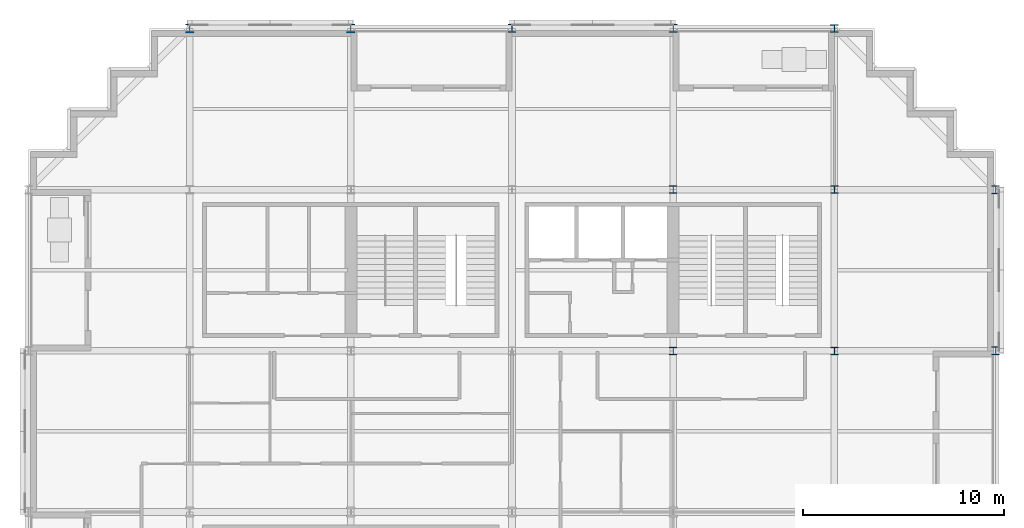
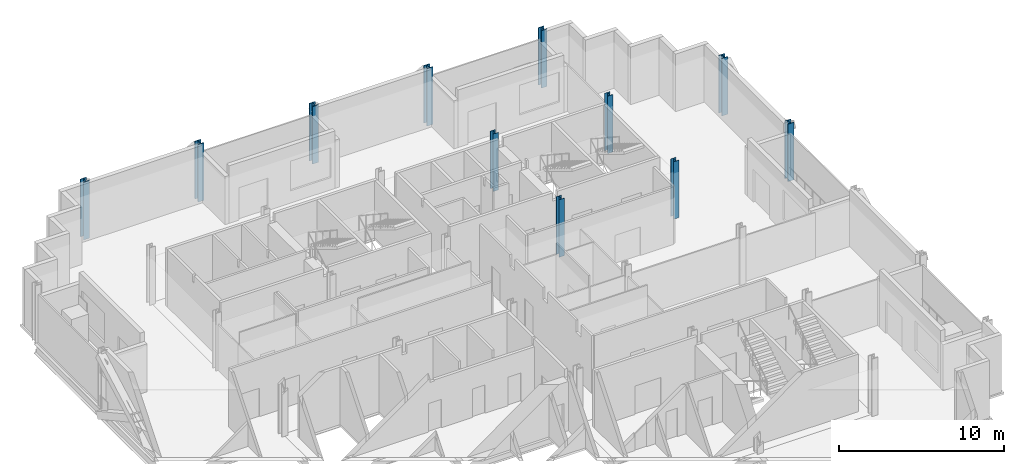
# One storey, part 2 of 13: 11 columns.
"""IFC4 building model written with IfcOpenShell, lengths in metres."""

import ifcopenshell
import ifcopenshell.guid

model = None  # the IFC model being written
_history = None  # IfcOwnerHistory: only IFC2X3 demands one
_inside = {}  # id of a spatial element -> (the spatial element, [elements in it])
_under = {}  # id of a project, library or spatial element -> (it, [spatial elements below it])
_declared = {}  # id of a project -> (the project, [libraries it declares])
_typed = {}  # id of a type object -> (the type object, [elements of that type])
_made_of = {}  # id of a material, layer set ... -> (it, [elements and type objects made of it])


def new_model(schema):
    """Start an empty IFC model of exactly this schema.

    Asked for "IFC4X3", IfcOpenShell would pick the latest addendum, in which some entities
    have other attributes; the version numbers below select the first issue.
    IFC2X3 requires an IfcOwnerHistory on every rooted entity: one is made here for all.
    """
    global model, _history
    if schema == "IFC4X3":
        model = ifcopenshell.file(schema_version=(4, 3, 0, 0))
    else:
        model = ifcopenshell.file(schema=schema)
    _inside.clear()
    _under.clear()
    _declared.clear()
    _typed.clear()
    _made_of.clear()
    _history = None
    if model.schema == "IFC2X3":
        org = make("IfcOrganization", Name="unknown")
        user = make(
            "IfcPersonAndOrganization",
            ThePerson=make("IfcPerson", FamilyName="unknown"),
            TheOrganization=org,
        )
        app = make(
            "IfcApplication",
            ApplicationDeveloper=org,
            Version="unknown",
            ApplicationFullName="unknown",
            ApplicationIdentifier="unknown",
        )
        _history = make(
            "IfcOwnerHistory",
            OwningUser=user,
            OwningApplication=app,
            ChangeAction="ADDED",
            CreationDate=0,
        )
    return model


def make(cls, **values):
    """One entity of the class cls with the attributes given. An attribute that is None is left unset."""
    return model.create_entity(
        cls, **{name: value for name, value in values.items() if value is not None}
    )


def rooted(cls, **values):
    """An entity with a GlobalId (a new one), such as an element, a storey or a relation."""
    return make(cls, GlobalId=ifcopenshell.guid.new(), OwnerHistory=_history, **values)


def si_unit(unit_type, name, prefix=None):
    """IfcSIUnit, for example si_unit("LENGTHUNIT", "METRE", prefix="MILLI")."""
    return make("IfcSIUnit", UnitType=unit_type, Prefix=prefix, Name=name)


def assignment(units):
    """IfcUnitAssignment: the units of a project."""
    return None if units is None else make("IfcUnitAssignment", Units=units)


def point(xyz):
    """IfcCartesianPoint."""
    return None if xyz is None else make("IfcCartesianPoint", Coordinates=xyz)


def direction(xyz):
    """IfcDirection."""
    return None if xyz is None else make("IfcDirection", DirectionRatios=xyz)


def frame(location, z_axis=None, x_axis=None):
    """IfcAxis2Placement3D, a coordinate frame: its origin and axes. An axis left out is left unset."""
    return make(
        "IfcAxis2Placement3D",
        Location=point(location),
        Axis=direction(z_axis),
        RefDirection=direction(x_axis),
    )


def frame_2d(location, x_axis=None):
    """IfcAxis2Placement2D, a coordinate frame in the plane: its origin and x axis."""
    return make(
        "IfcAxis2Placement2D", Location=point(location), RefDirection=direction(x_axis)
    )


def origin():
    """The frame at (0, 0, 0) with its axes left unset."""
    return frame((0.0, 0.0, 0.0))


def origin_2d():
    """The frame at (0, 0) in the plane with its x axis left unset."""
    return frame_2d((0.0, 0.0))


def place(relative_to, where):
    """IfcLocalPlacement: puts the frame where relative to a parent placement (None: the world)."""
    return make(
        "IfcLocalPlacement", PlacementRelTo=relative_to, RelativePlacement=where
    )


def context(
    kind, dimensions, precision=None, world=None, true_north=None, identifier=None
):
    """IfcGeometricRepresentationContext, for example the 3D "Model" context."""
    return make(
        "IfcGeometricRepresentationContext",
        ContextIdentifier=identifier,
        ContextType=kind,
        CoordinateSpaceDimension=dimensions,
        Precision=precision,
        WorldCoordinateSystem=world,
        TrueNorth=true_north,
    )


def subcontext(parent, identifier, kind, view, scale=None):
    """IfcGeometricRepresentationSubContext, for example "Body" below "Model"."""
    return make(
        "IfcGeometricRepresentationSubContext",
        ContextIdentifier=identifier,
        ContextType=kind,
        ParentContext=parent,
        TargetScale=scale,
        TargetView=view,
    )


def project(units=None, contexts=None):
    """IfcProject with its units and contexts."""
    return rooted(
        "IfcProject",
        Name="project",
        RepresentationContexts=contexts,
        UnitsInContext=assignment(units),
    )


def spatial(cls, under=None, at=None, **own):
    """A site, building, storey or space (cls), placed at a placement, below another one or the project."""
    s = rooted(cls, ObjectPlacement=at, **own)
    if under is not None:
        _under.setdefault(under.id(), (under, []))[1].append(s)
    return s


def profile(cls, at=None, kind="AREA", **sizes):
    """A parametric profile (cls). Its sizes go by their IFC names, for example OverallWidth=200.0."""
    return make(cls, ProfileType=kind, Position=at, **sizes)


def i_section(**sizes):
    """IfcIShapeProfileDef."""
    return profile("IfcIShapeProfileDef", **sizes)


def extrude(swept, where, along, depth):
    """IfcExtrudedAreaSolid: the profile swept, set in the frame where, extruded along a direction by depth."""
    return make(
        "IfcExtrudedAreaSolid",
        SweptArea=swept,
        Position=where,
        ExtrudedDirection=direction(along),
        Depth=depth,
    )


def shape(context_of_items, identifier, shape_type, items):
    """IfcShapeRepresentation: the items that make up one representation, for example the "Body"."""
    return make(
        "IfcShapeRepresentation",
        ContextOfItems=context_of_items,
        RepresentationIdentifier=identifier,
        RepresentationType=shape_type,
        Items=items,
    )


def material(Name=None, Category=None):
    """IfcMaterial."""
    return make("IfcMaterial", Name=Name, Category=Category)


def material_profile(
    of_material, cross_section, Name=None, Category=None, Priority=None
):
    """IfcMaterialProfile: a cross section and its material."""
    return make(
        "IfcMaterialProfile",
        Name=Name,
        Material=of_material,
        Profile=cross_section,
        Priority=Priority,
        Category=Category,
    )


def profile_set(profiles, Name=None, composite=None):
    """IfcMaterialProfileSet."""
    return make(
        "IfcMaterialProfileSet",
        Name=Name,
        MaterialProfiles=profiles,
        CompositeProfile=composite,
    )


def made_of(thing, what):
    """Note that an element or type object is made of a material, layer set ...; save() writes the relation."""
    if what is not None:
        _made_of.setdefault(what.id(), (what, []))[1].append(thing)
    return thing


def type_object(cls, material=None, **own):
    """A type object (cls), such as IfcWallType, which elements share."""
    return made_of(rooted(cls, **own), material)


def element(
    cls,
    number,
    at=None,
    inside=None,
    cuts=None,
    type_object=None,
    material=None,
    context=None,
    identifier="Body",
    shape_type=None,
    held_by="IfcProductDefinitionShape",
    body=None,
    shapes=None,
    **own,
):
    """One element of the class cls, such as IfcWall. Its Tag is "e" and its number.

    at: its placement. inside: the storey or other place that contains it. cuts: it is an
    opening in that element (IfcRelVoidsElement). A single representation is given by context,
    identifier, shape_type and body (its items); several are given by shapes. held_by: the class
    of the entity that holds the representations. save() writes the other relations.
    """
    e = rooted(cls, Tag="e%d" % number, ObjectPlacement=at, **own)
    if body is not None:
        shapes = [shape(context, identifier, shape_type, body)]
    if shapes is not None:
        e.Representation = make(held_by, Representations=shapes)
    if inside is not None:
        _inside.setdefault(inside.id(), (inside, []))[1].append(e)
    if cuts is not None:
        rooted(
            "IfcRelVoidsElement", RelatingBuildingElement=cuts, RelatedOpeningElement=e
        )
    if type_object is not None:
        _typed.setdefault(type_object.id(), (type_object, []))[1].append(e)
    return made_of(e, material)


def aggregate(whole, parts):
    """IfcRelAggregates: a whole, such as a stair, and the parts it consists of."""
    return rooted("IfcRelAggregates", RelatingObject=whole, RelatedObjects=parts)


def save(model, path):
    """Write the relations noted so far, then the file.

    IfcRelAggregates (storeys below a building ...), IfcRelContainedInSpatialStructure (elements
    in a storey), IfcRelDefinesByType, IfcRelAssociatesMaterial and IfcRelDeclares: one each for
    every whole, place, type object, material and project.
    """
    for whole, parts in _under.values():
        aggregate(whole, parts)
    for where, things in _inside.values():
        rooted(
            "IfcRelContainedInSpatialStructure",
            RelatedElements=things,
            RelatingStructure=where,
        )
    for kind, things in _typed.values():
        rooted("IfcRelDefinesByType", RelatedObjects=things, RelatingType=kind)
    for what, things in _made_of.values():
        rooted("IfcRelAssociatesMaterial", RelatedObjects=things, RelatingMaterial=what)
    for by, libraries in _declared.values():
        rooted("IfcRelDeclares", RelatingContext=by, RelatedDefinitions=libraries)
    model.write(path)


model = new_model("IFC4")

# Units and contexts
model_context = context("Model", 3, precision=1e-05, world=origin(), true_north=direction((0.0, 1.0)))
body_context = subcontext(model_context, "Body", "Model", "MODEL_VIEW")
ifc_project = project(units=[si_unit("LENGTHUNIT", "METRE"), si_unit("AREAUNIT", "SQUARE_METRE"), si_unit("VOLUMEUNIT", "CUBIC_METRE"), si_unit("PLANEANGLEUNIT", "RADIAN"), si_unit("MASSUNIT", "GRAM", prefix="KILO")], contexts=[model_context])

# Site, building, storey
site_placement = place(None, origin())
site = spatial("IfcSite", under=ifc_project, at=site_placement, CompositionType="ELEMENT")
building_placement = place(site_placement, origin())
building = spatial("IfcBuilding", under=site, at=building_placement, Name="Immortelle Media Tower", CompositionType="ELEMENT")
storey_placement = place(building_placement, frame((0.0, 0.0, 34.800048828125)))
storey = spatial("IfcBuildingStorey", under=building, at=storey_placement, Name="L04", CompositionType="ELEMENT", Elevation=34.800048828125)

# Columns
ifc_material = material(Name="Steel ASTM A992 Gr 50", Category="steel")
ifc_material_profile_1 = material_profile(ifc_material, i_section(OverallWidth=0.373046875, OverallDepth=0.367919921875, WebThickness=0.014892578125, FlangeThickness=0.02392578125, at=origin_2d()), Name="W14x120")
ifc_profile_set_1 = profile_set([ifc_material_profile_1], Name="Steel ASTM A992 Gr 50")
column_type_1 = type_object("IfcColumnType", Name="W14x120 column", PredefinedType="COLUMN", material=ifc_profile_set_1)
for number, where, z_axis, x_axis, name in (
    (1, (32.0, 32.0, 0.0), (0.0, 0.0, 1.0), (1.0, 0.0, 0.0), "Column 5/E"),
    (2, (32.0, 40.0, 0.0), (0.0, 0.0, 1.0), (1.0, 0.0, 0.0), "Column 5/F"),
    (3, (40.0, 32.0, 0.0), (0.0, 0.0, 1.0), (1.0, 0.0, 0.0), "Column 6/E"),
    (4, (40.0, 40.0, 0.0), (0.0, 0.0, 1.0), (1.0, 0.0, 0.0), "Column 6/F"),
):
    element("IfcColumn", number, at=place(storey_placement, frame(where, z_axis=z_axis, x_axis=x_axis)), inside=storey, type_object=column_type_1, Name=name, PredefinedType="COLUMN", context=body_context, shape_type="SweptSolid", body=[
        extrude(i_section(OverallWidth=0.373046875, OverallDepth=0.367919921875, WebThickness=0.014892578125, FlangeThickness=0.02392578125, at=origin_2d()), origin(), (0.0, 0.0, 1.0), 4.25),
    ])
ifc_material_profile_2 = material_profile(ifc_material, i_section(OverallWidth=0.39892578125, OverallDepth=0.385986328125, WebThickness=0.02099609375, FlangeThickness=0.032958984375, at=origin_2d()), Name="W14x176")
ifc_profile_set_2 = profile_set([ifc_material_profile_2], Name="Steel ASTM A992 Gr 50")
column_type_2 = type_object("IfcColumnType", Name="W14x176 column", PredefinedType="COLUMN", material=ifc_profile_set_2)
column_placement = place(storey_placement, frame((40.0, 48.0, 0.0), z_axis=(0.0, 0.0, 1.0), x_axis=(1.0, 0.0, 0.0)))
element("IfcColumn", 5, at=column_placement, inside=storey, type_object=column_type_2, Name="Column 6/G", PredefinedType="COLUMN", context=body_context, shape_type="SweptSolid", body=[
    extrude(i_section(OverallWidth=0.39892578125, OverallDepth=0.385986328125, WebThickness=0.02099609375, FlangeThickness=0.032958984375, at=origin_2d()), origin(), (0.0, 0.0, 1.0), 4.25),
])
ifc_material_profile_3 = material_profile(ifc_material, i_section(OverallWidth=0.406005859375, OverallDepth=0.4169921875, WebThickness=0.030029296875, FlangeThickness=0.048095703125, at=origin_2d()), Name="W14x257")
ifc_profile_set_3 = profile_set([ifc_material_profile_3], Name="Steel ASTM A992 Gr 50")
column_type_3 = type_object("IfcColumnType", Name="W14x257 column", PredefinedType="COLUMN", material=ifc_profile_set_3)
for number, where, z_axis, x_axis, name in (
    (6, (24.0, 48.0, 0.0), (0.0, 0.0, 1.0), (1.0, 0.0, 0.0), "Column 4/G"),
    (7, (32.0, 48.0, 0.0), (0.0, 0.0, 1.0), (1.0, 0.0, 0.0), "Column 5/G"),
    (8, (48.0, 32.0, 0.0), (0.0, 0.0, 1.0), (1.0, 0.0, 0.0), "Column 7/E"),
    (9, (48.0, 40.0, 0.0), (0.0, 0.0, 1.0), (1.0, 0.0, 0.0), "Column 7/F"),
):
    element("IfcColumn", number, at=place(storey_placement, frame(where, z_axis=z_axis, x_axis=x_axis)), inside=storey, type_object=column_type_3, Name=name, PredefinedType="COLUMN", context=body_context, shape_type="SweptSolid", body=[
        extrude(i_section(OverallWidth=0.406005859375, OverallDepth=0.4169921875, WebThickness=0.030029296875, FlangeThickness=0.048095703125, at=origin_2d()), origin(), (0.0, 0.0, 1.0), 4.25),
    ])
ifc_material_profile_4 = material_profile(ifc_material, i_section(OverallWidth=0.410888671875, OverallDepth=0.43408203125, WebThickness=0.035888671875, FlangeThickness=0.056884765625, at=origin_2d()), Name="W14x311")
ifc_profile_set_4 = profile_set([ifc_material_profile_4], Name="Steel ASTM A992 Gr 50")
column_type_4 = type_object("IfcColumnType", Name="W14x311 column", PredefinedType="COLUMN", material=ifc_profile_set_4)
for number, where, z_axis, x_axis, name in (
    (10, (8.0, 48.0, 0.0), (0.0, 0.0, 1.0), (1.0, 0.0, 0.0), "Column 2/G"),
    (11, (16.0, 48.0, 0.0), (0.0, 0.0, 1.0), (1.0, 0.0, 0.0), "Column 3/G"),
):
    element("IfcColumn", number, at=place(storey_placement, frame(where, z_axis=z_axis, x_axis=x_axis)), inside=storey, type_object=column_type_4, Name=name, PredefinedType="COLUMN", context=body_context, shape_type="SweptSolid", body=[
        extrude(i_section(OverallWidth=0.410888671875, OverallDepth=0.43408203125, WebThickness=0.035888671875, FlangeThickness=0.056884765625, at=origin_2d()), origin(), (0.0, 0.0, 1.0), 4.25),
    ])

save(model, "model.ifc")
